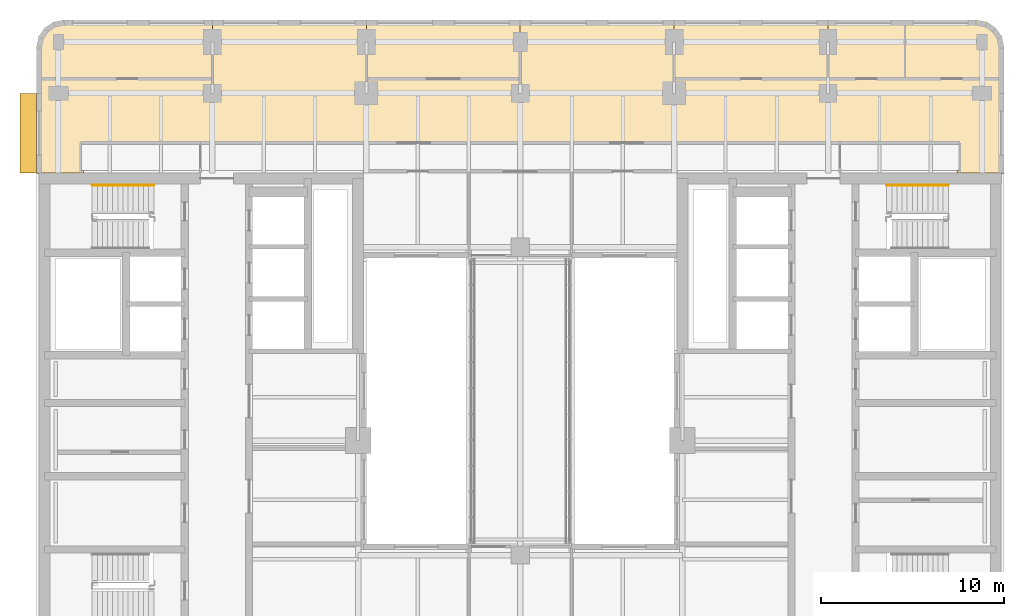
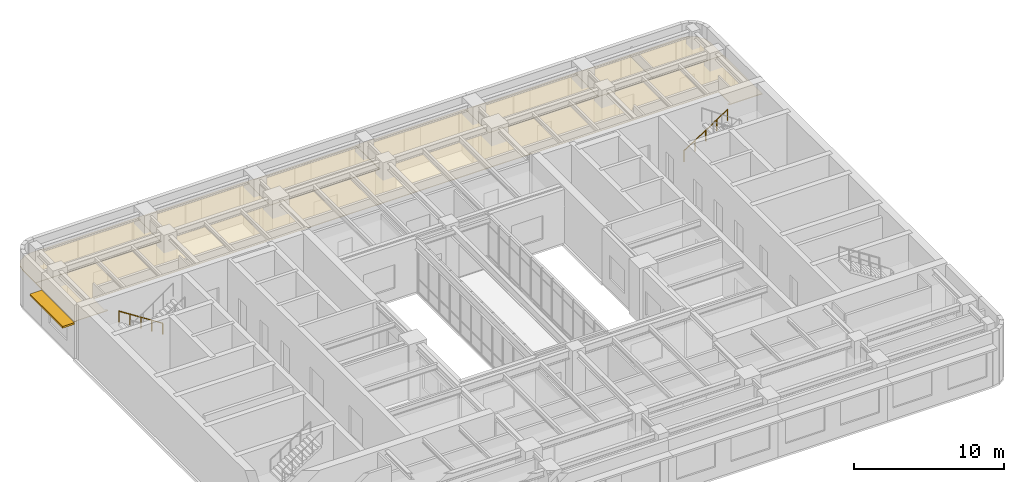
# One storey, part 14 of 14: 6 coverings, 2 railings, 1 shading device.
"""IFC4 building model written with IfcOpenShell, lengths in metres."""

from ifc_helpers import new_model, si_unit, direction, frame, origin, origin_2d, place, context, subcontext, project, spatial, polyline, rectangle, circle, outline, extrude, material, layer, layer_set, type_object, element, save


model = new_model("IFC4")

# Units and contexts
model_context = context("Model", 3, precision=1e-05, world=origin(), true_north=direction((0.0, 1.0)))
body_context = subcontext(model_context, "Body", "Model", "MODEL_VIEW")
ifc_project = project(units=[si_unit("LENGTHUNIT", "METRE"), si_unit("AREAUNIT", "SQUARE_METRE"), si_unit("VOLUMEUNIT", "CUBIC_METRE"), si_unit("PLANEANGLEUNIT", "RADIAN"), si_unit("MASSUNIT", "GRAM", prefix="KILO")], contexts=[model_context])

# Site, building, storey
site_placement = place(None, origin())
site = spatial("IfcSite", under=ifc_project, at=site_placement, CompositionType="ELEMENT")
building_placement = place(site_placement, origin())
building = spatial("IfcBuilding", under=site, at=building_placement, Name="Claustro Exchange Tower", CompositionType="ELEMENT")
storey_placement = place(building_placement, frame((0.0, 0.0, 250.199951171875)))
storey = spatial("IfcBuildingStorey", under=building, at=storey_placement, Name="L57", CompositionType="ELEMENT", Elevation=250.199951171875)

# Coverings
ifc_material_1 = material(Name="Gypsum board ceiling", Category="gypsum board")
ifc_layer_1 = layer(ifc_material_1, 0.02490234375)
ifc_layer_set_1 = layer_set([ifc_layer_1], Name="Gypsum board ceiling")
covering_type_1 = type_object("IfcCoveringType", Name="CL2 plasterboard ceiling", PredefinedType="CEILING", material=ifc_layer_set_1)
covering_1_placement = place(storey_placement, frame((0.0, 0.0, 3.0)))
element("IfcCovering", 1, at=covering_1_placement, inside=storey, type_object=covering_type_1, Name="Ceiling CL2 L57-25", PredefinedType="CEILING", context=body_context, shape_type="SweptSolid", body=[
    extrude(outline(polyline([(25.199951171875, 46.0), (16.800048828125, 46.0), (16.800048828125, 42.800048828125), (25.199951171875, 42.800048828125), (25.199951171875, 46.0)])), origin(), (0.0, 0.0, 1.0), 0.025146484375),
])
covering_2_placement = place(storey_placement, frame((0.0, 0.0, 3.0)))
element("IfcCovering", 2, at=covering_2_placement, inside=storey, type_object=covering_type_1, Name="Ceiling CL2 L57-26", PredefinedType="CEILING", context=body_context, shape_type="SweptSolid", body=[
    extrude(outline(polyline([(42.0, 46.0), (33.60009765625, 46.0), (33.60009765625, 42.800048828125), (42.0, 42.800048828125), (42.0, 46.0)])), origin(), (0.0, 0.0, 1.0), 0.025146484375),
])
covering_3_placement = place(storey_placement, frame((0.0, 0.0, 3.0)))
element("IfcCovering", 3, at=covering_3_placement, inside=storey, type_object=covering_type_1, Name="Ceiling CL2 L57-27", PredefinedType="CEILING", context=body_context, shape_type="SweptSolid", body=[
    extrude(outline(polyline([(46.199951171875, 46.0), (42.0, 46.0), (42.0, 42.800048828125), (46.199951171875, 42.800048828125), (46.199951171875, 46.0)])), origin(), (0.0, 0.0, 1.0), 0.025146484375),
])
covering_4_placement = place(storey_placement, frame((0.0, 0.0, 3.0)))
element("IfcCovering", 4, at=covering_4_placement, inside=storey, type_object=covering_type_1, Name="Ceiling CL2 L57-28", PredefinedType="CEILING", context=body_context, shape_type="SweptSolid", body=[
    extrude(outline(polyline([(50.10009765625, 46.0), (46.199951171875, 46.0), (46.199951171875, 42.800048828125), (51.60009765625, 42.800048828125), (51.60009765625, 44.5), (51.48583984375, 45.073974609375), (51.16064453125, 45.560791015625), (50.674072265625, 45.8857421875), (50.10009765625, 46.0)])), origin(), (0.0, 0.0, 1.0), 0.025146484375),
])
ifc_material_2 = material(Name="Oak slats on acoustic backing", Category="wood")
ifc_layer_2 = layer(ifc_material_2, 0.050048828125)
ifc_layer_set_2 = layer_set([ifc_layer_2], Name="Oak slats on acoustic backing")
covering_type_2 = type_object("IfcCoveringType", Name="CL3 timber slat ceiling", PredefinedType="CEILING", material=ifc_layer_set_2)
covering_5_placement = place(storey_placement, frame((0.0, 0.0, 3.0)))
element("IfcCovering", 5, at=covering_5_placement, inside=storey, type_object=covering_type_2, Name="Ceiling CL3 L57-23", PredefinedType="CEILING", context=body_context, shape_type="SweptSolid", body=[
    extrude(outline(polyline([(-1.050048828125, 37.64990234375), (1.3701171875, 37.64990234375), (1.3701171875, 37.800048828125), (1.199951171875, 37.800048828125), (1.199951171875, 39.300048828125), (49.199951171875, 39.300048828125), (49.199951171875, 37.800048828125), (49.030029296875, 37.800048828125), (49.030029296875, 37.64990234375), (51.449951171875, 37.64990234375), (51.449951171875, 37.6298828125), (51.60009765625, 37.6298828125), (51.60009765625, 42.800048828125), (33.60009765625, 42.800048828125), (33.60009765625, 46.0), (25.199951171875, 46.0), (25.199951171875, 42.800048828125), (16.800048828125, 42.800048828125), (16.800048828125, 46.0), (8.39990234375, 46.0), (8.39990234375, 42.800048828125), (-1.199951171875, 42.800048828125), (-1.199951171875, 37.6298828125), (-1.050048828125, 37.6298828125), (-1.050048828125, 37.64990234375)])), origin(), (0.0, 0.0, 1.0), 0.050048828125),
])
covering_6_placement = place(storey_placement, frame((0.0, 0.0, 3.0)))
element("IfcCovering", 6, at=covering_6_placement, inside=storey, type_object=covering_type_2, Name="Ceiling CL3 L57-24", PredefinedType="CEILING", context=body_context, shape_type="SweptSolid", body=[
    extrude(outline(polyline([(-1.199951171875, 44.5), (-1.199951171875, 42.800048828125), (8.39990234375, 42.800048828125), (8.39990234375, 46.0), (0.300048828125, 46.0), (-0.27392578125, 45.8857421875), (-0.7607421875, 45.560791015625), (-1.085693359375, 45.073974609375), (-1.199951171875, 44.5)])), origin(), (0.0, 0.0, 1.0), 0.050048828125),
])

# Railings
ifc_material_3 = material(Name="Stainless steel tube", Category="steel")
railing_type = type_object("IfcRailingType", Name="HR1 900 stair handrail", PredefinedType="HANDRAIL", material=ifc_material_3)
railing_1_placement = place(storey_placement, frame((5.199951171875, 36.989990234375, 0.179931640625)))
element("IfcRailing", 7, at=railing_1_placement, inside=storey, type_object=railing_type, Name="Handrail HR1 stair STWB L57", PredefinedType="HANDRAIL", context=body_context, shape_type="SweptSolid", body=[
    extrude(circle(Radius=0.02392578125, at=origin_2d()), frame((0.0, 0.0, 0.8759765625), z_axis=(-0.841150671818, 0.0, 0.540800838849), x_axis=(0.0, -1.0, 0.0)), (0.0, 0.0, 1.0), 3.994384765625),
    extrude(circle(Radius=0.02099609375, at=origin_2d()), origin(), (0.0, 0.0, 1.0), 0.851806640625),
    extrude(circle(Radius=0.02099609375, at=origin_2d()), frame((-0.83984375, 0.0, 0.5400390625)), (0.0, 0.0, 1.0), 0.851806640625),
    extrude(circle(Radius=0.02099609375, at=origin_2d()), frame((-1.679931640625, 0.0, 1.080078125)), (0.0, 0.0, 1.0), 0.851806640625),
    extrude(circle(Radius=0.02099609375, at=origin_2d()), frame((-2.52001953125, 0.0, 1.6201171875)), (0.0, 0.0, 1.0), 0.851806640625),
    extrude(circle(Radius=0.02099609375, at=origin_2d()), frame((-3.35986328125, 0.0, 2.16015625)), (0.0, 0.0, 1.0), 0.851806640625),
])
railing_2_placement = place(storey_placement, frame((45.199951171875, 36.989990234375, 0.179931640625)))
element("IfcRailing", 8, at=railing_2_placement, inside=storey, type_object=railing_type, Name="Handrail HR1 stair STEB L57", PredefinedType="HANDRAIL", context=body_context, shape_type="SweptSolid", body=[
    extrude(circle(Radius=0.02392578125, at=origin_2d()), frame((0.0, 0.0, 0.8759765625), z_axis=(0.8411685463, 0.0, 0.540773036232), x_axis=(0.0, 1.0, 0.0)), (0.0, 0.0, 1.0), 3.99462890625),
    extrude(circle(Radius=0.02099609375, at=origin_2d()), origin(), (0.0, 0.0, 1.0), 0.851806640625),
    extrude(circle(Radius=0.02099609375, at=origin_2d()), frame((0.840087890625, 0.0, 0.5400390625)), (0.0, 0.0, 1.0), 0.851806640625),
    extrude(circle(Radius=0.02099609375, at=origin_2d()), frame((1.68017578125, 0.0, 1.080078125)), (0.0, 0.0, 1.0), 0.851806640625),
    extrude(circle(Radius=0.02099609375, at=origin_2d()), frame((2.52001953125, 0.0, 1.6201171875)), (0.0, 0.0, 1.0), 0.851806640625),
    extrude(circle(Radius=0.02099609375, at=origin_2d()), frame((3.360107421875, 0.0, 2.16015625)), (0.0, 0.0, 1.0), 0.851806640625),
])

# Shading device
ifc_material_4 = material(Name="Concrete HA-40 (C40/50), precast, white cement, acid-etched", Category="concrete")
ifc_layer_3 = layer(ifc_material_4, 0.14990234375)
ifc_layer_set_3 = layer_set([ifc_layer_3], Name="Concrete HA-40 (C40/50), precast, white cement, acid-etched")
shading_device_type = type_object("IfcShadingDeviceType", Name="SS2 900 precast concrete SUNSHADE", PredefinedType="SHUTTER", material=ifc_layer_set_3)
shading_device_placement = place(storey_placement, frame((-1.64990234375, 39.824951171875, 2.800048828125), z_axis=(0.0, 0.0, 1.0), x_axis=(0.0, 1.0, 0.0)))
element("IfcShadingDevice", 9, at=shading_device_placement, inside=storey, type_object=shading_device_type, Name="Precast SUNSHADE SS2 L57", PredefinedType="SHUTTER", context=body_context, shape_type="SweptSolid", body=[
    extrude(rectangle(XDim=4.35009765625, YDim=0.89990234375, at=origin_2d()), origin(), (0.0, 0.0, 1.0), 0.14990234375),
])

save(model, "model.ifc")
